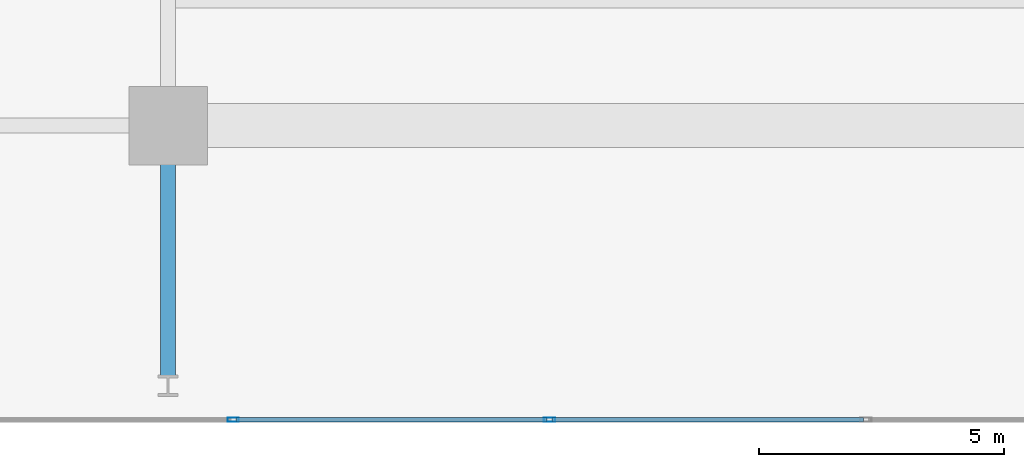
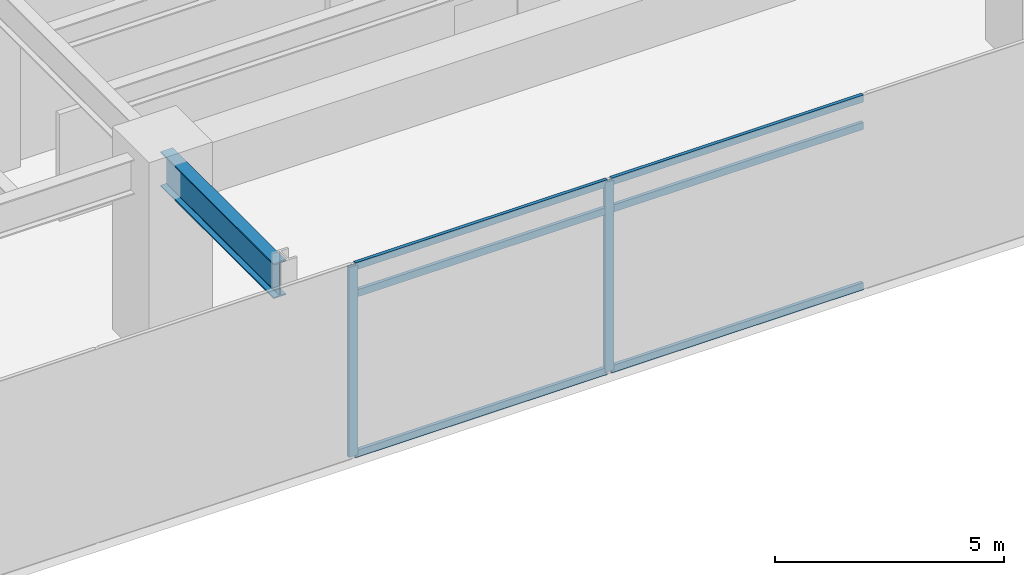
# One storey, part 4 of 26: 8 members, 1 beam, 1 element without a shape of its own.
"""IFC4 building model written with IfcOpenShell, lengths in metres."""

from ifc_helpers import new_model, si_unit, direction, frame, origin, origin_2d, place, context, subcontext, project, spatial, hollow_rectangle, i_section, extrude, material, material_profile, profile_set, type_object, element, aggregate, save


model = new_model("IFC4")

# Units and contexts
model_context = context("Model", 3, precision=1e-05, world=origin(), true_north=direction((0.0, 1.0)))
body_context = subcontext(model_context, "Body", "Model", "MODEL_VIEW")
ifc_project = project(units=[si_unit("LENGTHUNIT", "METRE"), si_unit("AREAUNIT", "SQUARE_METRE"), si_unit("VOLUMEUNIT", "CUBIC_METRE"), si_unit("PLANEANGLEUNIT", "RADIAN"), si_unit("MASSUNIT", "GRAM", prefix="KILO")], contexts=[model_context])

# Site, building, storey
site_placement = place(None, origin())
site = spatial("IfcSite", under=ifc_project, at=site_placement, CompositionType="ELEMENT")
building_placement = place(site_placement, origin())
building = spatial("IfcBuilding", under=site, at=building_placement, Name="Kovane Verandah Tower", CompositionType="ELEMENT")
storey_placement = place(building_placement, frame((0.0, 0.0, 113.0)))
storey = spatial("IfcBuildingStorey", under=building, at=storey_placement, Name="L26", CompositionType="ELEMENT", Elevation=113.0)

# Beam
ifc_material_1 = material(Name="Steel S460", Category="steel")
ifc_material_profile_1 = material_profile(ifc_material_1, i_section(OverallWidth=0.3076171875, OverallDepth=0.926513671875, WebThickness=0.01953125, FlangeThickness=0.031982421875, FilletRadius=0.01904296875, at=origin_2d()), Name="UB914x305x289")
ifc_profile_set_1 = profile_set([ifc_material_profile_1], Name="Steel S460")
beam_type = type_object("IfcBeamType", Name="BM-UB914x289", PredefinedType="BEAM", material=ifc_profile_set_1)
beam_placement = place(storey_placement, frame((29.0, 10.6201171875, 4.63671875), z_axis=(0.0, -1.0, 0.0), x_axis=(1.0, 0.0, 0.0)))
element("IfcBeam", 1, at=beam_placement, inside=storey, type_object=beam_type, Name="L26 Primary Tower Girder G-VS1", PredefinedType="BEAM", context=body_context, shape_type="SweptSolid", body=[
    extrude(i_section(OverallWidth=0.3076171875, OverallDepth=0.926513671875, WebThickness=0.01953125, FlangeThickness=0.031982421875, FilletRadius=0.01904296875, at=origin_2d()), origin(), (0.0, 0.0, 1.0), 4.940185546875),
])

# Curtain wall, members
ifc_material_2 = material(Name="Champagne Anodised Aluminium Frame with Low-E Clear Laminated Glass", Category="aluminium")
curtain_wall_type = type_object("IfcCurtainWallType", Name="CW-SYS-02-LOW", PredefinedType="NOTDEFINED", material=ifc_material_2)
curtain_wall_placement = place(storey_placement, origin())
curtain_wall = element("IfcCurtainWall", 2, at=curtain_wall_placement, inside=storey, type_object=curtain_wall_type, Name="L26 S Unitised Curtain Wall", PredefinedType="NOTDEFINED")
ifc_material_3 = material(Name="Champagne Anodised Aluminium 6063-T6", Category="aluminium")
ifc_material_profile_2 = material_profile(ifc_material_3, hollow_rectangle(XDim=0.0849609375, YDim=0.22998046875, WallThickness=0.00390625, at=origin_2d()), Name="AL85x230x4")
ifc_profile_set_2 = profile_set([ifc_material_profile_2], Name="Champagne Anodised Aluminium 6063-T6")
member_type_1 = type_object("IfcMemberType", Name="CW-MUL-85x230", PredefinedType="MULLION", material=ifc_profile_set_2)
member_1_placement = place(storey_placement, frame((30.32958984375, 4.80517578125, 0.02001953125), z_axis=(0.0, 0.0, 1.0), x_axis=(0.0, -1.0, 0.0)))
member_1 = element("IfcMember", 3, at=member_1_placement, type_object=member_type_1, Name="L26 S Unitised Curtain Wall Mullion 3", PredefinedType="MULLION", context=body_context, shape_type="SweptSolid", body=[
    extrude(hollow_rectangle(XDim=0.0849609375, YDim=0.22998046875, WallThickness=0.00390625, at=origin_2d()), origin(), (0.0, 0.0, 1.0), 5.06005859375),
])
member_2_placement = place(storey_placement, frame((36.776611328125, 4.80517578125, 0.02001953125), z_axis=(0.0, 0.0, 1.0), x_axis=(0.0, -1.0, 0.0)))
member_2 = element("IfcMember", 4, at=member_2_placement, type_object=member_type_1, Name="L26 S Unitised Curtain Wall Mullion 4", PredefinedType="MULLION", context=body_context, shape_type="SweptSolid", body=[
    extrude(hollow_rectangle(XDim=0.0849609375, YDim=0.22998046875, WallThickness=0.00390625, at=origin_2d()), origin(), (0.0, 0.0, 1.0), 5.06005859375),
])
ifc_material_profile_3 = material_profile(ifc_material_3, hollow_rectangle(XDim=0.0849609375, YDim=0.18994140625, WallThickness=0.00390625, at=origin_2d()), Name="AL85x190x4")
ifc_profile_set_3 = profile_set([ifc_material_profile_3], Name="Champagne Anodised Aluminium 6063-T6")
member_type_2 = type_object("IfcMemberType", Name="CW-TRN-85x190", PredefinedType="USERDEFINED", material=ifc_profile_set_3)
member_3_placement = place(storey_placement, frame((30.379638671875, 4.80517578125, 0.050048828125), z_axis=(1.0, 0.0, 0.0), x_axis=(0.0, 1.0, 0.0)))
member_3 = element("IfcMember", 5, at=member_3_placement, type_object=member_type_2, Name="L26 S Unitised Curtain Wall Transom TB Bay 3", ObjectType="TRANSOM", PredefinedType="USERDEFINED", context=body_context, shape_type="SweptSolid", body=[
    extrude(hollow_rectangle(XDim=0.0849609375, YDim=0.18994140625, WallThickness=0.00390625, at=origin_2d()), origin(), (0.0, 0.0, 1.0), 6.346923828125),
])
member_4_placement = place(storey_placement, frame((30.379638671875, 4.80517578125, 4.320068359375), z_axis=(1.0, 0.0, 0.0), x_axis=(0.0, 1.0, 0.0)))
member_4 = element("IfcMember", 6, at=member_4_placement, type_object=member_type_2, Name="L26 S Unitised Curtain Wall Transom TM Bay 3", ObjectType="TRANSOM", PredefinedType="USERDEFINED", context=body_context, shape_type="SweptSolid", body=[
    extrude(hollow_rectangle(XDim=0.0849609375, YDim=0.18994140625, WallThickness=0.00390625, at=origin_2d()), origin(), (0.0, 0.0, 1.0), 6.346923828125),
])
member_5_placement = place(storey_placement, frame((30.379638671875, 4.80517578125, 5.050048828125), z_axis=(1.0, 0.0, 0.0), x_axis=(0.0, 1.0, 0.0)))
member_5 = element("IfcMember", 7, at=member_5_placement, type_object=member_type_2, Name="L26 S Unitised Curtain Wall Transom TT Bay 3", ObjectType="TRANSOM", PredefinedType="USERDEFINED", context=body_context, shape_type="SweptSolid", body=[
    extrude(hollow_rectangle(XDim=0.0849609375, YDim=0.18994140625, WallThickness=0.00390625, at=origin_2d()), origin(), (0.0, 0.0, 1.0), 6.346923828125),
])
member_6_placement = place(storey_placement, frame((36.82666015625, 4.80517578125, 0.050048828125), z_axis=(1.0, 0.0, 0.0), x_axis=(0.0, 1.0, 0.0)))
member_6 = element("IfcMember", 8, at=member_6_placement, type_object=member_type_2, Name="L26 S Unitised Curtain Wall Transom TB Bay 4", ObjectType="TRANSOM", PredefinedType="USERDEFINED", context=body_context, shape_type="SweptSolid", body=[
    extrude(hollow_rectangle(XDim=0.0849609375, YDim=0.18994140625, WallThickness=0.00390625, at=origin_2d()), origin(), (0.0, 0.0, 1.0), 6.3466796875),
])
member_7_placement = place(storey_placement, frame((36.82666015625, 4.80517578125, 4.320068359375), z_axis=(1.0, 0.0, 0.0), x_axis=(0.0, 1.0, 0.0)))
member_7 = element("IfcMember", 9, at=member_7_placement, type_object=member_type_2, Name="L26 S Unitised Curtain Wall Transom TM Bay 4", ObjectType="TRANSOM", PredefinedType="USERDEFINED", context=body_context, shape_type="SweptSolid", body=[
    extrude(hollow_rectangle(XDim=0.0849609375, YDim=0.18994140625, WallThickness=0.00390625, at=origin_2d()), origin(), (0.0, 0.0, 1.0), 6.3466796875),
])
member_8_placement = place(storey_placement, frame((36.82666015625, 4.80517578125, 5.050048828125), z_axis=(1.0, 0.0, 0.0), x_axis=(0.0, 1.0, 0.0)))
member_8 = element("IfcMember", 10, at=member_8_placement, type_object=member_type_2, Name="L26 S Unitised Curtain Wall Transom TT Bay 4", ObjectType="TRANSOM", PredefinedType="USERDEFINED", context=body_context, shape_type="SweptSolid", body=[
    extrude(hollow_rectangle(XDim=0.0849609375, YDim=0.18994140625, WallThickness=0.00390625, at=origin_2d()), origin(), (0.0, 0.0, 1.0), 6.3466796875),
])
aggregate(curtain_wall, [member_1, member_2, member_3, member_4, member_5, member_6, member_7, member_8])

save(model, "model.ifc")
